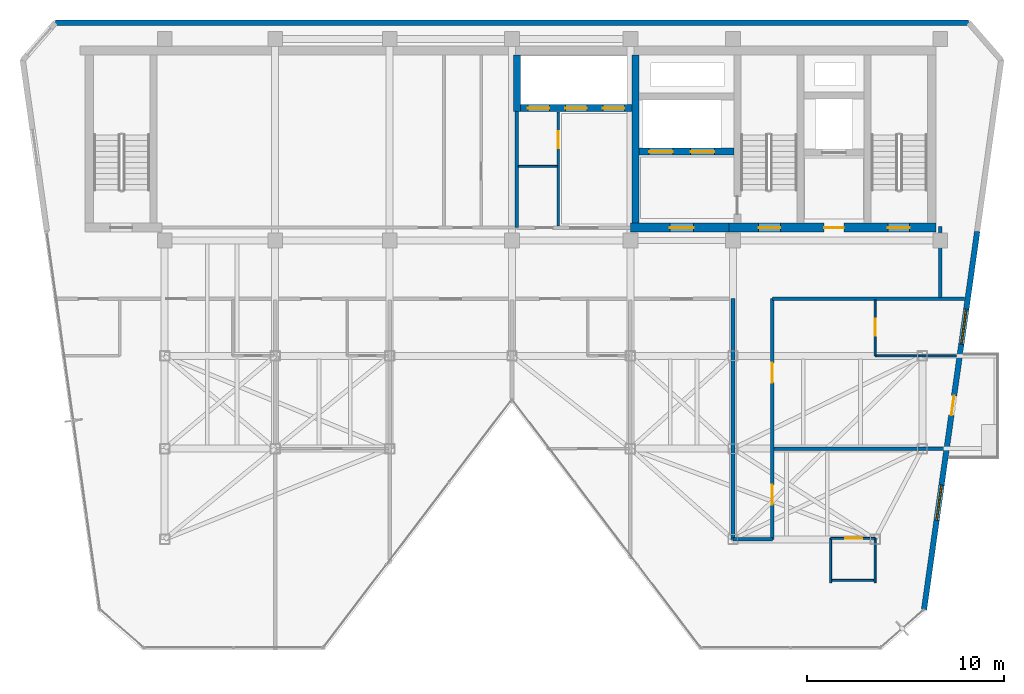
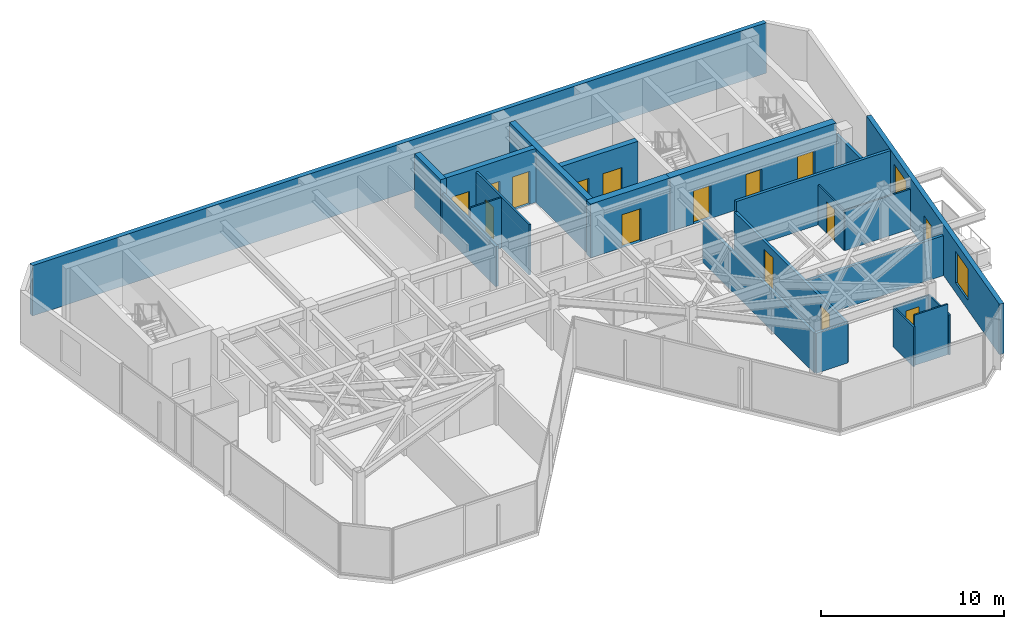
# One storey, part 17 of 20: 23 walls, 15 doors, 2 windows, 17 openings.
"""IFC4 building model written with IfcOpenShell, lengths in metres."""

from ifc_helpers import new_model, si_unit, direction, frame, frame_2d, origin, place, context, subcontext, project, spatial, rectangle, extrude, material, layer, layer_set, type_object, element, fill, save


model = new_model("IFC4")

# Units and contexts
model_context = context("Model", 3, precision=1e-05, world=origin(), true_north=direction((0.0, 1.0)))
body_context = subcontext(model_context, "Body", "Model", "MODEL_VIEW")
ifc_project = project(units=[si_unit("LENGTHUNIT", "METRE"), si_unit("AREAUNIT", "SQUARE_METRE"), si_unit("VOLUMEUNIT", "CUBIC_METRE"), si_unit("PLANEANGLEUNIT", "RADIAN"), si_unit("MASSUNIT", "GRAM", prefix="KILO")], contexts=[model_context])

# Site, building, storey
site_placement = place(None, origin())
site = spatial("IfcSite", under=ifc_project, at=site_placement, CompositionType="ELEMENT")
building_placement = place(site_placement, origin())
building = spatial("IfcBuilding", under=site, at=building_placement, Name="Kravanh Interchange Tower", CompositionType="ELEMENT")
storey_placement = place(building_placement, frame((0.0, 0.0, 238.199951171875)))
storey = spatial("IfcBuildingStorey", under=building, at=storey_placement, Name="L57", CompositionType="ELEMENT", Elevation=238.199951171875)

# Wall, opening, door
ifc_material_1 = material(Name="Double Acoustic Gypsum Board and Mineral Wool")
ifc_layer_1 = layer(ifc_material_1, 0.1201171875)
ifc_layer_set_1 = layer_set([ifc_layer_1], Name="Acoustic Office Drywall Partition 120mm")
wall_type_1 = type_object("IfcWallType", Name="Acoustic Office Drywall Partition 120mm", PredefinedType="PARTITIONING", material=ifc_layer_set_1)
wall_1_placement = place(storey_placement, frame((47.14990234375, 38.068115234375, 0.0), z_axis=(0.0, 0.0, 1.0), x_axis=(0.0, 1.0, 0.0)))
wall_1 = element("IfcWall", 1, at=wall_1_placement, inside=storey, type_object=wall_type_1, Name="L57 Interior Partition 2", PredefinedType="PARTITIONING", context=body_context, shape_type="SweptSolid", body=[
    extrude(rectangle(XDim=5.798828125, YDim=0.1201171875, at=frame_2d((2.8994140625, 0.0))), origin(), (0.0, 0.0, 1.0), 3.360107421875),
])
opening_1_placement = place(wall_1_placement, frame((3.95703125, 0.0, 0.0)))
opening_1 = element("IfcOpeningElement", 2, at=opening_1_placement, cuts=wall_1, Name="Opening D-85", PredefinedType="OPENING", context=body_context, shape_type="SweptSolid", body=[
    extrude(rectangle(XDim=0.85009765625, YDim=2.10009765625, at=frame_2d((0.425048828125, 1.050048828125))), frame((0.0, 0.070068359375, 0.0), z_axis=(0.0, -1.0, 0.0), x_axis=(1.0, 0.0, 0.0)), (0.0, 0.0, 1.0), 0.14013671875),
])
ifc_material_2 = material(Name="Engineered Teak Veneer Timber", Category="wood")
door_type_1 = type_object("IfcDoorType", Name="En-Suite Timber Door 850x2100", OperationType="NOTDEFINED", PredefinedType="DOOR", material=ifc_material_2)
door_1_placement = place(opening_1_placement, origin())
door_1 = element("IfcDoor", 3, at=door_1_placement, inside=storey, type_object=door_type_1, Name="L57 Core Valet Store Door", OperationType="SINGLE_SWING_RIGHT", OverallHeight=2.10009765625, OverallWidth=0.85009765625, PredefinedType="DOOR", context=body_context, shape_type="SweptSolid", body=[
    extrude(rectangle(XDim=0.85009765625, YDim=2.10009765625, at=frame_2d((0.425048828125, 1.050048828125))), frame((0.0, 0.02490234375, 0.0), z_axis=(0.0, -1.0, 0.0), x_axis=(1.0, 0.0, 0.0)), (0.0, 0.0, 1.0), 0.050048828125),
])
fill(opening_1, door_1)

# Wall, openings, doors
ifc_material_3 = material(Name="Concrete C60/75", Category="concrete")
ifc_layer_2 = layer(ifc_material_3, 0.35009765625)
ifc_layer_set_2 = layer_set([ifc_layer_2], Name="Core Shear Wall Concrete C60/75 350mm")
wall_type_2 = type_object("IfcWallType", Name="Core Shear Wall Concrete C60/75 350mm", PredefinedType="SHEAR", material=ifc_layer_set_2)
wall_2_placement = place(storey_placement, frame((51.22509765625, 41.85009765625, 0.0), z_axis=(0.0, 0.0, 1.0), x_axis=(1.0, 0.0, 0.0)))
wall_2 = element("IfcWall", 4, at=wall_2_placement, inside=storey, type_object=wall_type_2, Name="L57 Fire Lift Shaft South Wall", PredefinedType="SHEAR", context=body_context, shape_type="SweptSolid", body=[
    extrude(rectangle(XDim=4.824951171875, YDim=0.35009765625, at=frame_2d((2.41259765625, 0.0))), origin(), (0.0, 0.0, 1.0), 3.60009765625),
])
opening_2_placement = place(wall_2_placement, frame((0.52490234375, 0.0, 0.0)))
opening_2 = element("IfcOpeningElement", 5, at=opening_2_placement, cuts=wall_2, Name="Opening LD02", PredefinedType="OPENING", context=body_context, shape_type="SweptSolid", body=[
    extrude(rectangle(XDim=1.199951171875, YDim=2.199951171875, at=frame_2d((0.60009765625, 1.10009765625))), frame((0.0, 0.18505859375, 0.0), z_axis=(0.0, -1.0, 0.0), x_axis=(1.0, 0.0, 0.0)), (0.0, 0.0, 1.0), 0.3701171875),
])
opening_3_placement = place(wall_2_placement, frame((2.625, 0.0, 0.0)))
opening_3 = element("IfcOpeningElement", 6, at=opening_3_placement, cuts=wall_2, Name="Opening LD02", PredefinedType="OPENING", context=body_context, shape_type="SweptSolid", body=[
    extrude(rectangle(XDim=1.199951171875, YDim=2.199951171875, at=frame_2d((0.60009765625, 1.10009765625))), frame((0.0, 0.18505859375, 0.0), z_axis=(0.0, -1.0, 0.0), x_axis=(1.0, 0.0, 0.0)), (0.0, 0.0, 1.0), 0.3701171875),
])
ifc_material_4 = material(Name="Stainless Steel 316", Category="steel")
door_type_2 = type_object("IfcDoorType", Name="Fire and Service Lift Sliding Landing Door 1200x2200", OperationType="DOUBLE_DOOR_SLIDING", PredefinedType="DOOR", material=ifc_material_4)
door_2_placement = place(opening_2_placement, origin())
door_2 = element("IfcDoor", 7, at=door_2_placement, inside=storey, type_object=door_type_2, Name="L57 Lift FSAE-01 Landing Door", OperationType="DOUBLE_DOOR_SLIDING", OverallHeight=2.199951171875, OverallWidth=1.199951171875, PredefinedType="DOOR", context=body_context, shape_type="SweptSolid", body=[
    extrude(rectangle(XDim=1.199951171875, YDim=2.199951171875, at=frame_2d((0.60009765625, 1.10009765625))), frame((0.0, 0.02490234375, 0.0), z_axis=(0.0, -1.0, 0.0), x_axis=(1.0, 0.0, 0.0)), (0.0, 0.0, 1.0), 0.050048828125),
])
fill(opening_2, door_2)
door_3_placement = place(opening_3_placement, origin())
door_3 = element("IfcDoor", 8, at=door_3_placement, inside=storey, type_object=door_type_2, Name="L57 Lift FSAE-02 Landing Door", OperationType="DOUBLE_DOOR_SLIDING", OverallHeight=2.199951171875, OverallWidth=1.199951171875, PredefinedType="DOOR", context=body_context, shape_type="SweptSolid", body=[
    extrude(rectangle(XDim=1.199951171875, YDim=2.199951171875, at=frame_2d((0.60009765625, 1.10009765625))), frame((0.0, 0.02490234375, 0.0), z_axis=(0.0, -1.0, 0.0), x_axis=(1.0, 0.0, 0.0)), (0.0, 0.0, 1.0), 0.050048828125),
])
fill(opening_3, door_3)

# Wall
wall_3_placement = place(storey_placement, frame((51.050048828125, 38.22509765625, 0.0), z_axis=(0.0, 0.0, 1.0), x_axis=(0.0, 1.0, 0.0)))
element("IfcWall", 9, at=wall_3_placement, inside=storey, type_object=wall_type_2, Name="L57 Firefighting Lobby West Wall", PredefinedType="SHEAR", context=body_context, shape_type="SweptSolid", body=[
    extrude(rectangle(XDim=8.52490234375, YDim=0.35009765625, at=frame_2d((4.262451171875, 0.0))), origin(), (0.0, 0.0, 1.0), 3.60009765625),
])

# Wall, openings, doors
wall_4_placement = place(storey_placement, frame((45.22509765625, 44.050048828125, 0.0), z_axis=(0.0, 0.0, 1.0), x_axis=(1.0, 0.0, 0.0)))
wall_4 = element("IfcWall", 10, at=wall_4_placement, inside=storey, type_object=wall_type_2, Name="L57 High-Rise Lift Shaft South Wall", PredefinedType="SHEAR", context=body_context, shape_type="SweptSolid", body=[
    extrude(rectangle(XDim=5.64990234375, YDim=0.35009765625, at=frame_2d((2.824951171875, 0.0))), origin(), (0.0, 0.0, 1.0), 3.60009765625),
])
opening_4_placement = place(wall_4_placement, frame((0.375, 0.0, 0.0)))
opening_4 = element("IfcOpeningElement", 11, at=opening_4_placement, cuts=wall_4, Name="Opening LD01", PredefinedType="OPENING", context=body_context, shape_type="SweptSolid", body=[
    extrude(rectangle(XDim=1.10009765625, YDim=2.199951171875, at=frame_2d((0.550048828125, 1.10009765625))), frame((0.0, 0.18505859375, 0.0), z_axis=(0.0, -1.0, 0.0), x_axis=(1.0, 0.0, 0.0)), (0.0, 0.0, 1.0), 0.3701171875),
])
opening_5_placement = place(wall_4_placement, frame((2.27490234375, 0.0, 0.0)))
opening_5 = element("IfcOpeningElement", 12, at=opening_5_placement, cuts=wall_4, Name="Opening LD01", PredefinedType="OPENING", context=body_context, shape_type="SweptSolid", body=[
    extrude(rectangle(XDim=1.10009765625, YDim=2.199951171875, at=frame_2d((0.550048828125, 1.10009765625))), frame((0.0, 0.18505859375, 0.0), z_axis=(0.0, -1.0, 0.0), x_axis=(1.0, 0.0, 0.0)), (0.0, 0.0, 1.0), 0.3701171875),
])
opening_6_placement = place(wall_4_placement, frame((4.175048828125, 0.0, 0.0)))
opening_6 = element("IfcOpeningElement", 13, at=opening_6_placement, cuts=wall_4, Name="Opening LD01", PredefinedType="OPENING", context=body_context, shape_type="SweptSolid", body=[
    extrude(rectangle(XDim=1.10009765625, YDim=2.199951171875, at=frame_2d((0.550048828125, 1.10009765625))), frame((0.0, 0.18505859375, 0.0), z_axis=(0.0, -1.0, 0.0), x_axis=(1.0, 0.0, 0.0)), (0.0, 0.0, 1.0), 0.3701171875),
])
ifc_material_5 = material(Name="Stainless Steel 304", Category="steel")
door_type_3 = type_object("IfcDoorType", Name="Passenger Lift Sliding Landing Door 1100x2200", OperationType="DOUBLE_DOOR_SLIDING", PredefinedType="DOOR", material=ifc_material_5)
door_4_placement = place(opening_4_placement, origin())
door_4 = element("IfcDoor", 14, at=door_4_placement, inside=storey, type_object=door_type_3, Name="L57 Lift LP-H1 Landing Door", OperationType="DOUBLE_DOOR_SLIDING", OverallHeight=2.199951171875, OverallWidth=1.10009765625, PredefinedType="DOOR", context=body_context, shape_type="SweptSolid", body=[
    extrude(rectangle(XDim=1.10009765625, YDim=2.199951171875, at=frame_2d((0.550048828125, 1.10009765625))), frame((0.0, 0.02490234375, 0.0), z_axis=(0.0, -1.0, 0.0), x_axis=(1.0, 0.0, 0.0)), (0.0, 0.0, 1.0), 0.050048828125),
])
fill(opening_4, door_4)
door_5_placement = place(opening_5_placement, origin())
door_5 = element("IfcDoor", 15, at=door_5_placement, inside=storey, type_object=door_type_3, Name="L57 Lift LP-H2 Landing Door", OperationType="DOUBLE_DOOR_SLIDING", OverallHeight=2.199951171875, OverallWidth=1.10009765625, PredefinedType="DOOR", context=body_context, shape_type="SweptSolid", body=[
    extrude(rectangle(XDim=1.10009765625, YDim=2.199951171875, at=frame_2d((0.550048828125, 1.10009765625))), frame((0.0, 0.02490234375, 0.0), z_axis=(0.0, -1.0, 0.0), x_axis=(1.0, 0.0, 0.0)), (0.0, 0.0, 1.0), 0.050048828125),
])
fill(opening_5, door_5)
door_6_placement = place(opening_6_placement, origin())
door_6 = element("IfcDoor", 16, at=door_6_placement, inside=storey, type_object=door_type_3, Name="L57 Lift LP-H3 Landing Door", OperationType="DOUBLE_DOOR_SLIDING", OverallHeight=2.199951171875, OverallWidth=1.10009765625, PredefinedType="DOOR", context=body_context, shape_type="SweptSolid", body=[
    extrude(rectangle(XDim=1.10009765625, YDim=2.199951171875, at=frame_2d((0.550048828125, 1.10009765625))), frame((0.0, 0.02490234375, 0.0), z_axis=(0.0, -1.0, 0.0), x_axis=(1.0, 0.0, 0.0)), (0.0, 0.0, 1.0), 0.050048828125),
])
fill(opening_6, door_6)

# Wall
wall_5_placement = place(storey_placement, frame((45.050048828125, 43.875, 0.0), z_axis=(0.0, 0.0, 1.0), x_axis=(0.0, 1.0, 0.0)))
element("IfcWall", 17, at=wall_5_placement, inside=storey, type_object=wall_type_2, Name="L57 High-Rise Lift Shaft West Wall", PredefinedType="SHEAR", context=body_context, shape_type="SweptSolid", body=[
    extrude(rectangle(XDim=2.875, YDim=0.35009765625, at=frame_2d((1.4375, 0.0))), origin(), (0.0, 0.0, 1.0), 3.60009765625),
])

# Wall, openings, doors
ifc_material_6 = material(Name="Concrete C60/75", Category="concrete")
ifc_layer_3 = layer(ifc_material_6, 0.449951171875)
ifc_layer_set_3 = layer_set([ifc_layer_3], Name="Core Shear Wall Concrete C60/75 450mm")
wall_type_3 = type_object("IfcWallType", Name="Core Shear Wall Concrete C60/75 450mm", PredefinedType="SHEAR", material=ifc_layer_set_3)
wall_6_placement = place(storey_placement, frame((55.800048828125, 38.0, 0.0), z_axis=(0.0, 0.0, 1.0), x_axis=(1.0, 0.0, 0.0)))
wall_6 = element("IfcWall", 18, at=wall_6_placement, inside=storey, type_object=wall_type_3, Name="L57 East Core South Shear Wall", PredefinedType="SHEAR", context=body_context, shape_type="SweptSolid", body=[
    extrude(rectangle(XDim=10.5, YDim=0.449951171875, at=frame_2d((5.25, 0.0))), origin(), (0.0, 0.0, 1.0), 3.60009765625),
])
opening_7_placement = place(wall_6_placement, frame((1.5, 0.0, 0.0)))
opening_7 = element("IfcOpeningElement", 19, at=opening_7_placement, cuts=wall_6, Name="Opening D-STAIR-110", PredefinedType="OPENING", context=body_context, shape_type="SweptSolid", body=[
    extrude(rectangle(XDim=1.10009765625, YDim=2.199951171875, at=frame_2d((0.550048828125, 1.10009765625))), frame((0.0, 0.23486328125, 0.0), z_axis=(0.0, -1.0, 0.0), x_axis=(1.0, 0.0, 0.0)), (0.0, 0.0, 1.0), 0.469970703125),
])
opening_8_placement = place(wall_6_placement, frame((4.820068359375, 0.0, 0.0)))
opening_8 = element("IfcOpeningElement", 20, at=opening_8_placement, cuts=wall_6, Name="Opening D-HOTEL-100", PredefinedType="OPENING", context=body_context, shape_type="SweptSolid", body=[
    extrude(rectangle(XDim=1.0, YDim=2.14990234375, at=frame_2d((0.5, 1.074951171875))), frame((0.0, 0.23486328125, 0.0), z_axis=(0.0, -1.0, 0.0), x_axis=(1.0, 0.0, 0.0)), (0.0, 0.0, 1.0), 0.469970703125),
])
opening_9_placement = place(wall_6_placement, frame((8.050048828125, 0.0, 0.0)))
opening_9 = element("IfcOpeningElement", 21, at=opening_9_placement, cuts=wall_6, Name="Opening D-STAIR-110", PredefinedType="OPENING", context=body_context, shape_type="SweptSolid", body=[
    extrude(rectangle(XDim=1.10009765625, YDim=2.199951171875, at=frame_2d((0.550048828125, 1.10009765625))), frame((0.0, 0.23486328125, 0.0), z_axis=(0.0, -1.0, 0.0), x_axis=(1.0, 0.0, 0.0)), (0.0, 0.0, 1.0), 0.469970703125),
])
ifc_material_7 = material(Name="Structural Steel S355", Category="steel")
door_type_4 = type_object("IfcDoorType", Name="Fire-Rated Exit Stair Door 1100x2200", OperationType="NOTDEFINED", PredefinedType="DOOR", material=ifc_material_7)
door_7_placement = place(opening_7_placement, origin())
door_7 = element("IfcDoor", 22, at=door_7_placement, inside=storey, type_object=door_type_4, Name="L57 Exit Stair ST2 Door", OperationType="SINGLE_SWING_RIGHT", OverallHeight=2.199951171875, OverallWidth=1.10009765625, PredefinedType="DOOR", context=body_context, shape_type="SweptSolid", body=[
    extrude(rectangle(XDim=1.10009765625, YDim=2.199951171875, at=frame_2d((0.550048828125, 1.10009765625))), frame((0.0, 0.02490234375, 0.0), z_axis=(0.0, -1.0, 0.0), x_axis=(1.0, 0.0, 0.0)), (0.0, 0.0, 1.0), 0.050048828125),
])
fill(opening_7, door_7)
door_8_placement = place(opening_9_placement, origin())
door_8 = element("IfcDoor", 23, at=door_8_placement, inside=storey, type_object=door_type_4, Name="L57 Exit Stair ST1 Door", OperationType="SINGLE_SWING_RIGHT", OverallHeight=2.199951171875, OverallWidth=1.10009765625, PredefinedType="DOOR", context=body_context, shape_type="SweptSolid", body=[
    extrude(rectangle(XDim=1.10009765625, YDim=2.199951171875, at=frame_2d((0.550048828125, 1.10009765625))), frame((0.0, 0.02490234375, 0.0), z_axis=(0.0, -1.0, 0.0), x_axis=(1.0, 0.0, 0.0)), (0.0, 0.0, 1.0), 0.050048828125),
])
fill(opening_9, door_8)
ifc_material_8 = material(Name="Fire-Rated Solid Timber Leaf", Category="wood")
door_type_5 = type_object("IfcDoorType", Name="Fire-Rated Suite Entrance Door 1000x2150", OperationType="NOTDEFINED", PredefinedType="DOOR", material=ifc_material_8)
door_9_placement = place(opening_8_placement, origin())
door_9 = element("IfcDoor", 24, at=door_9_placement, inside=storey, type_object=door_type_5, Name="L57 Service Lift Lobby Door", OperationType="SINGLE_SWING_RIGHT", OverallHeight=2.14990234375, OverallWidth=1.0, PredefinedType="DOOR", context=body_context, shape_type="SweptSolid", body=[
    extrude(rectangle(XDim=1.0, YDim=2.14990234375, at=frame_2d((0.5, 1.074951171875))), frame((0.0, 0.02490234375, 0.0), z_axis=(0.0, -1.0, 0.0), x_axis=(1.0, 0.0, 0.0)), (0.0, 0.0, 1.0), 0.050048828125),
])
fill(opening_8, door_9)

# Wall, opening, door
wall_7_placement = place(storey_placement, frame((50.800048828125, 38.0, 0.0), z_axis=(0.0, 0.0, 1.0), x_axis=(1.0, 0.0, 0.0)))
wall_7 = element("IfcWall", 25, at=wall_7_placement, inside=storey, type_object=wall_type_3, Name="L57 Firefighting Lobby South Shear Wall", PredefinedType="SHEAR", context=body_context, shape_type="SweptSolid", body=[
    extrude(rectangle(XDim=5.0, YDim=0.449951171875, at=frame_2d((2.5, 0.0))), origin(), (0.0, 0.0, 1.0), 3.60009765625),
])
opening_10_placement = place(wall_7_placement, frame((2.0, 0.0, 0.0)))
opening_10 = element("IfcOpeningElement", 26, at=opening_10_placement, cuts=wall_7, Name="Opening D-FSAE-120", PredefinedType="OPENING", context=body_context, shape_type="SweptSolid", body=[
    extrude(rectangle(XDim=1.199951171875, YDim=2.199951171875, at=frame_2d((0.60009765625, 1.10009765625))), frame((0.0, 0.23486328125, 0.0), z_axis=(0.0, -1.0, 0.0), x_axis=(1.0, 0.0, 0.0)), (0.0, 0.0, 1.0), 0.469970703125),
])
ifc_material_9 = material(Name="Structural Steel S355", Category="steel")
door_type_6 = type_object("IfcDoorType", Name="Fire-Rated Refuge and FSAE Door 1200x2200", OperationType="NOTDEFINED", PredefinedType="DOOR", material=ifc_material_9)
door_10_placement = place(opening_10_placement, origin())
door_10 = element("IfcDoor", 27, at=door_10_placement, inside=storey, type_object=door_type_6, Name="L57 Firefighting Lobby Corridor Door", OperationType="SINGLE_SWING_RIGHT", OverallHeight=2.199951171875, OverallWidth=1.199951171875, PredefinedType="DOOR", context=body_context, shape_type="SweptSolid", body=[
    extrude(rectangle(XDim=1.199951171875, YDim=2.199951171875, at=frame_2d((0.60009765625, 1.10009765625))), frame((0.0, 0.02490234375, 0.0), z_axis=(0.0, -1.0, 0.0), x_axis=(1.0, 0.0, 0.0)), (0.0, 0.0, 1.0), 0.050048828125),
])
fill(opening_10, door_10)

# Wall
ifc_material_10 = material(Name="Moisture-Resistant Gypsum Board and Mineral Wool")
ifc_layer_4 = layer(ifc_material_10, 0.10009765625)
ifc_layer_set_4 = layer_set([ifc_layer_4], Name="En-Suite Moisture-Resistant Partition 100mm")
wall_type_4 = type_object("IfcWallType", Name="En-Suite Moisture-Resistant Partition 100mm", PredefinedType="PARTITIONING", material=ifc_layer_set_4)
wall_8_placement = place(storey_placement, frame((45.117919921875, 41.10009765625, 0.0), z_axis=(0.0, 0.0, 1.0), x_axis=(1.0, 0.0, 0.0)))
element("IfcWall", 28, at=wall_8_placement, inside=storey, type_object=wall_type_4, Name="L57 Interior Partition 3", PredefinedType="PARTITIONING", context=body_context, shape_type="SweptSolid", body=[
    extrude(rectangle(XDim=1.964111328125, YDim=0.10009765625, at=frame_2d((0.98193359375, 0.0))), origin(), (0.0, 0.0, 1.0), 3.360107421875),
])

# Wall, opening, door
wall_9_placement = place(storey_placement, frame((60.949951171875, 22.25, 0.0), z_axis=(0.0, 0.0, 1.0), x_axis=(1.0, 0.0, 0.0)))
wall_9 = element("IfcWall", 29, at=wall_9_placement, inside=storey, type_object=wall_type_4, Name="L57 Interior Partition 18", PredefinedType="PARTITIONING", context=body_context, shape_type="SweptSolid", body=[
    extrude(rectangle(XDim=2.25, YDim=0.10009765625, at=frame_2d((1.125, 0.0))), origin(), (0.0, 0.0, 1.0), 2.6640625),
])
opening_11_placement = place(wall_9_placement, frame((0.741455078125, 0.0, 0.0)))
opening_11 = element("IfcOpeningElement", 30, at=opening_11_placement, cuts=wall_9, Name="Opening D-85", PredefinedType="OPENING", context=body_context, shape_type="SweptSolid", body=[
    extrude(rectangle(XDim=0.85009765625, YDim=2.10009765625, at=frame_2d((0.425048828125, 1.050048828125))), frame((0.0, 0.06005859375, 0.0), z_axis=(0.0, -1.0, 0.0), x_axis=(1.0, 0.0, 0.0)), (0.0, 0.0, 1.0), 0.1201171875),
])
door_11_placement = place(opening_11_placement, origin())
door_11 = element("IfcDoor", 31, at=door_11_placement, inside=storey, type_object=door_type_1, Name="L57 En-suite Bathroom Door", OperationType="SINGLE_SWING_RIGHT", OverallHeight=2.10009765625, OverallWidth=0.85009765625, PredefinedType="DOOR", context=body_context, shape_type="SweptSolid", body=[
    extrude(rectangle(XDim=0.85009765625, YDim=2.10009765625, at=frame_2d((0.425048828125, 1.050048828125))), frame((0.0, 0.02490234375, 0.0), z_axis=(0.0, -1.0, 0.0), x_axis=(1.0, 0.0, 0.0)), (0.0, 0.0, 1.0), 0.050048828125),
])
fill(opening_11, door_11)

# Walls
for number, where, z_axis, x_axis, name in (
    (32, (60.949951171875, 20.0, 0.0), (0.0, 0.0, 1.0), (0.0, 1.0, 0.0), "L57 Interior Partition 19"),
    (33, (63.199951171875, 20.0, 0.0), (0.0, 0.0, 1.0), (0.0, 1.0, 0.0), "L57 Interior Partition 20"),
):
    element("IfcWall", number, at=place(storey_placement, frame(where, z_axis=z_axis, x_axis=x_axis)), inside=storey, type_object=wall_type_4, Name=name, PredefinedType="PARTITIONING", context=body_context, shape_type="SweptSolid", body=[
        extrude(rectangle(XDim=2.25, YDim=0.10009765625, at=frame_2d((1.125, 0.0))), origin(), (0.0, 0.0, 1.0), 2.6640625),
    ])
wall_10_placement = place(storey_placement, frame((61.01806640625, 20.1201171875, 0.0), z_axis=(0.0, 0.0, 1.0), x_axis=(1.0, 0.0, 0.0)))
element("IfcWall", 34, at=wall_10_placement, inside=storey, type_object=wall_type_4, Name="L57 Interior Partition 21", PredefinedType="PARTITIONING", context=body_context, shape_type="SweptSolid", body=[
    extrude(rectangle(XDim=2.114013671875, YDim=0.10009765625, at=frame_2d((1.05712890625, 0.0))), origin(), (0.0, 0.0, 1.0), 3.360107421875),
])
wall_11_placement = place(storey_placement, frame((63.199951171875, 31.5, 0.0), z_axis=(0.0, 0.0, 1.0), x_axis=(1.0, 0.0, 0.0)))
element("IfcWall", 35, at=wall_11_placement, inside=storey, type_object=wall_type_4, Name="L57 Interior Partition 22", PredefinedType="PARTITIONING", context=body_context, shape_type="SweptSolid", body=[
    extrude(rectangle(XDim=4.123046875, YDim=0.10009765625, at=frame_2d((2.0615234375, 0.0))), origin(), (0.0, 0.0, 1.0), 2.6640625),
])

# Wall, opening, door
wall_12_placement = place(storey_placement, frame((63.199951171875, 31.5, 0.0), z_axis=(0.0, 0.0, 1.0), x_axis=(0.0, 1.0, 0.0)))
wall_12 = element("IfcWall", 36, at=wall_12_placement, inside=storey, type_object=wall_type_4, Name="L57 Interior Partition 23", PredefinedType="PARTITIONING", context=body_context, shape_type="SweptSolid", body=[
    extrude(rectangle(XDim=2.83203125, YDim=0.10009765625, at=frame_2d((1.416015625, 0.0))), origin(), (0.0, 0.0, 1.0), 2.6640625),
])
opening_12_placement = place(wall_12_placement, frame((1.02490234375, 0.0, 0.0)))
opening_12 = element("IfcOpeningElement", 37, at=opening_12_placement, cuts=wall_12, Name="Opening D-85", PredefinedType="OPENING", context=body_context, shape_type="SweptSolid", body=[
    extrude(rectangle(XDim=0.85009765625, YDim=2.10009765625, at=frame_2d((0.425048828125, 1.050048828125))), frame((0.0, 0.06005859375, 0.0), z_axis=(0.0, -1.0, 0.0), x_axis=(1.0, 0.0, 0.0)), (0.0, 0.0, 1.0), 0.1201171875),
])
door_12_placement = place(opening_12_placement, origin())
door_12 = element("IfcDoor", 38, at=door_12_placement, inside=storey, type_object=door_type_1, Name="L57 En-suite Bathroom Door", OperationType="SINGLE_SWING_RIGHT", OverallHeight=2.10009765625, OverallWidth=0.85009765625, PredefinedType="DOOR", context=body_context, shape_type="SweptSolid", body=[
    extrude(rectangle(XDim=0.85009765625, YDim=2.10009765625, at=frame_2d((0.425048828125, 1.050048828125))), frame((0.0, 0.02490234375, 0.0), z_axis=(0.0, -1.0, 0.0), x_axis=(1.0, 0.0, 0.0)), (0.0, 0.0, 1.0), 0.050048828125),
])
fill(opening_12, door_12)

# Wall
ifc_material_11 = material(Name="Insulated Precast Concrete C40/50 with Bronze Cladding", Category="concrete")
ifc_layer_5 = layer(ifc_material_11, 0.280029296875)
ifc_layer_set_5 = layer_set([ifc_layer_5], Name="Exterior Insulated Concrete C40/50 Bronze Spandrel Wall 280mm")
wall_type_5 = type_object("IfcWallType", Name="Exterior Insulated Concrete C40/50 Bronze Spandrel Wall 280mm", PredefinedType="STANDARD", material=ifc_layer_set_5)
wall_13_placement = place(storey_placement, frame((21.65478515625, 48.3798828125, 0.0), z_axis=(0.0, 0.0, 1.0), x_axis=(1.0, 0.0, 0.0)))
element("IfcWall", 39, at=wall_13_placement, inside=storey, type_object=wall_type_5, Name="L57 Exterior Wall 3", PredefinedType="STANDARD", context=body_context, shape_type="SweptSolid", body=[
    extrude(rectangle(XDim=46.29052734375, YDim=0.280029296875, at=frame_2d((23.145263671875, 0.0))), origin(), (0.0, 0.0, 1.0), 3.360107421875),
])

# Wall, openings, door, windows
wall_14_placement = place(storey_placement, frame((68.375, 37.800048828125, 0.0), z_axis=(0.0, 0.0, 1.0), x_axis=(-0.139164922175, -0.99026921816, 0.0)))
wall_14 = element("IfcWall", 40, at=wall_14_placement, inside=storey, type_object=wall_type_5, Name="L57 Exterior Wall 6", PredefinedType="STANDARD", context=body_context, shape_type="SweptSolid", body=[
    extrude(rectangle(XDim=19.3466796875, YDim=0.280029296875, at=frame_2d((9.67333984375, 0.0))), origin(), (0.0, 0.0, 1.0), 3.360107421875),
])
opening_13_placement = place(wall_14_placement, frame((8.39990234375, 0.0, 0.0)))
opening_13 = element("IfcOpeningElement", 41, at=opening_13_placement, cuts=wall_14, Name="Opening ED-BAL100", PredefinedType="OPENING", context=body_context, shape_type="SweptSolid", body=[
    extrude(rectangle(XDim=1.0, YDim=2.14990234375, at=frame_2d((0.5, 1.074951171875))), frame((0.0, 0.14990234375, 0.0), z_axis=(0.0, -1.0, 0.0), x_axis=(1.0, 0.0, 0.0)), (0.0, 0.0, 1.0), 0.300048828125),
])
opening_14_placement = place(wall_14_placement, frame((3.971435546875, 0.0, 0.64990234375)))
opening_14 = element("IfcOpeningElement", 42, at=opening_14_placement, cuts=wall_14, Name="Opening WN-180X210", PredefinedType="OPENING", context=body_context, shape_type="SweptSolid", body=[
    extrude(rectangle(XDim=1.800048828125, YDim=2.10009765625, at=frame_2d((0.89990234375, 1.050048828125))), frame((0.0, 0.14990234375, 0.0), z_axis=(0.0, -1.0, 0.0), x_axis=(1.0, 0.0, 0.0)), (0.0, 0.0, 1.0), 0.300048828125),
])
opening_15_placement = place(wall_14_placement, frame((12.97509765625, 0.0, 0.64990234375)))
opening_15 = element("IfcOpeningElement", 43, at=opening_15_placement, cuts=wall_14, Name="Opening WN-180X210", PredefinedType="OPENING", context=body_context, shape_type="SweptSolid", body=[
    extrude(rectangle(XDim=1.800048828125, YDim=2.10009765625, at=frame_2d((0.89990234375, 1.050048828125))), frame((0.0, 0.14990234375, 0.0), z_axis=(0.0, -1.0, 0.0), x_axis=(1.0, 0.0, 0.0)), (0.0, 0.0, 1.0), 0.300048828125),
])
ifc_material_12 = material(Name="Thermally Broken Bronze Aluminium and Laminated Glass", Category="aluminium")
door_type_7 = type_object("IfcDoorType", Name="Balcony Glazed Door 1000x2150", OperationType="NOTDEFINED", PredefinedType="DOOR", material=ifc_material_12)
door_13_placement = place(opening_13_placement, origin())
door_13 = element("IfcDoor", 44, at=door_13_placement, inside=storey, type_object=door_type_7, Name="L57 E Tree Balcony Access Door", OperationType="SINGLE_SWING_RIGHT", OverallHeight=2.14990234375, OverallWidth=1.0, PredefinedType="DOOR", context=body_context, shape_type="SweptSolid", body=[
    extrude(rectangle(XDim=1.0, YDim=2.14990234375, at=frame_2d((0.5, 1.074951171875))), frame((0.0, 0.02490234375, 0.0), z_axis=(0.0, -1.0, 0.0), x_axis=(1.0, 0.0, 0.0)), (0.0, 0.0, 1.0), 0.050048828125),
])
fill(opening_13, door_13)
ifc_material_13 = material(Name="Thermally Broken Bronze Aluminium and Low-E Glass", Category="aluminium")
window_type = type_object("IfcWindowType", Name="Tower Pier Window 1800x2100", PartitioningType="SINGLE_PANEL", PredefinedType="WINDOW", material=ifc_material_13)
window_1_placement = place(opening_14_placement, origin())
window_1 = element("IfcWindow", 45, at=window_1_placement, inside=storey, type_object=window_type, Name="L57 Facade Window 6A", OverallHeight=2.10009765625, OverallWidth=1.800048828125, PartitioningType="SINGLE_PANEL", PredefinedType="WINDOW", context=body_context, shape_type="SweptSolid", body=[
    extrude(rectangle(XDim=1.800048828125, YDim=2.10009765625, at=frame_2d((0.89990234375, 1.050048828125))), frame((0.0, 0.030029296875, 0.0), z_axis=(0.0, -1.0, 0.0), x_axis=(1.0, 0.0, 0.0)), (0.0, 0.0, 1.0), 0.06005859375),
])
fill(opening_14, window_1)
window_2_placement = place(opening_15_placement, origin())
window_2 = element("IfcWindow", 46, at=window_2_placement, inside=storey, type_object=window_type, Name="L57 Facade Window 6B", OverallHeight=2.10009765625, OverallWidth=1.800048828125, PartitioningType="SINGLE_PANEL", PredefinedType="WINDOW", context=body_context, shape_type="SweptSolid", body=[
    extrude(rectangle(XDim=1.800048828125, YDim=2.10009765625, at=frame_2d((0.89990234375, 1.050048828125))), frame((0.0, 0.030029296875, 0.0), z_axis=(0.0, -1.0, 0.0), x_axis=(1.0, 0.0, 0.0)), (0.0, 0.0, 1.0), 0.06005859375),
])
fill(opening_15, window_2)

# Walls
ifc_material_14 = material(Name="Autoclaved Aerated Concrete C30/37 Blockwork", Category="masonry")
ifc_layer_6 = layer(ifc_material_14, 0.179931640625)
ifc_layer_set_6 = layer_set([ifc_layer_6], Name="Fire-Rated Lobby and Corridor Wall Concrete C30/37 180mm")
wall_type_6 = type_object("IfcWallType", Name="Fire-Rated Lobby and Corridor Wall Concrete C30/37 180mm", PredefinedType="STANDARD", material=ifc_layer_set_6)
wall_15_placement = place(storey_placement, frame((45.050048828125, 38.0, 0.0), z_axis=(0.0, 0.0, 1.0), x_axis=(0.0, 1.0, 0.0)))
element("IfcWall", 47, at=wall_15_placement, inside=storey, type_object=wall_type_6, Name="L57 Interior Partition 4", PredefinedType="STANDARD", context=body_context, shape_type="SweptSolid", body=[
    extrude(rectangle(XDim=5.875, YDim=0.179931640625, at=frame_2d((2.9375, 0.0))), origin(), (0.0, 0.0, 1.0), 2.6640625),
])
wall_16_placement = place(storey_placement, frame((58.0, 34.39990234375, 0.0), z_axis=(0.0, 0.0, 1.0), x_axis=(1.0, 0.0, 0.0)))
element("IfcWall", 48, at=wall_16_placement, inside=storey, type_object=wall_type_6, Name="L57 Interior Partition 10", PredefinedType="STANDARD", context=body_context, shape_type="SweptSolid", body=[
    extrude(rectangle(XDim=9.730712890625, YDim=0.179931640625, at=frame_2d((4.865234375, 0.0))), origin(), (0.0, 0.0, 1.0), 3.360107421875),
])
wall_17_placement = place(storey_placement, frame((66.5, 34.468017578125, 0.0), z_axis=(0.0, 0.0, 1.0), x_axis=(0.0, 1.0, 0.0)))
element("IfcWall", 49, at=wall_17_placement, inside=storey, type_object=wall_type_6, Name="L57 Interior Partition 11", PredefinedType="STANDARD", context=body_context, shape_type="SweptSolid", body=[
    extrude(rectangle(XDim=3.58203125, YDim=0.179931640625, at=frame_2d((1.791015625, 0.0))), origin(), (0.0, 0.0, 1.0), 2.6640625),
])
wall_18_placement = place(storey_placement, frame((56.0, 22.199951171875, 0.0), z_axis=(0.0, 0.0, 1.0), x_axis=(0.0, 1.0, 0.0)))
element("IfcWall", 50, at=wall_18_placement, inside=storey, type_object=wall_type_6, Name="L57 Interior Partition 12", PredefinedType="STANDARD", context=body_context, shape_type="SweptSolid", body=[
    extrude(rectangle(XDim=12.199951171875, YDim=0.179931640625, at=frame_2d((6.10009765625, 0.0))), origin(), (0.0, 0.0, 1.0), 2.6640625),
])

# Wall, openings, doors
wall_19_placement = place(storey_placement, frame((58.0, 22.199951171875, 0.0), z_axis=(0.0, 0.0, 1.0), x_axis=(0.0, 1.0, 0.0)))
wall_19 = element("IfcWall", 51, at=wall_19_placement, inside=storey, type_object=wall_type_6, Name="L57 Interior Partition 13", PredefinedType="STANDARD", context=body_context, shape_type="SweptSolid", body=[
    extrude(rectangle(XDim=12.199951171875, YDim=0.179931640625, at=frame_2d((6.10009765625, 0.0))), origin(), (0.0, 0.0, 1.0), 2.6640625),
])
opening_16_placement = place(wall_19_placement, frame((1.759521484375, 0.0, 0.0)))
opening_16 = element("IfcOpeningElement", 52, at=opening_16_placement, cuts=wall_19, Name="Opening D-HOTEL-100", PredefinedType="OPENING", context=body_context, shape_type="SweptSolid", body=[
    extrude(rectangle(XDim=1.0, YDim=2.14990234375, at=frame_2d((0.5, 1.074951171875))), frame((0.0, 0.10009765625, 0.0), z_axis=(0.0, -1.0, 0.0), x_axis=(1.0, 0.0, 0.0)), (0.0, 0.0, 1.0), 0.199951171875),
])
opening_17_placement = place(wall_19_placement, frame((7.93994140625, 0.0, 0.0)))
opening_17 = element("IfcOpeningElement", 53, at=opening_17_placement, cuts=wall_19, Name="Opening D-HOTEL-100", PredefinedType="OPENING", context=body_context, shape_type="SweptSolid", body=[
    extrude(rectangle(XDim=1.0, YDim=2.14990234375, at=frame_2d((0.5, 1.074951171875))), frame((0.0, 0.10009765625, 0.0), z_axis=(0.0, -1.0, 0.0), x_axis=(1.0, 0.0, 0.0)), (0.0, 0.0, 1.0), 0.199951171875),
])
door_14_placement = place(opening_16_placement, origin())
door_14 = element("IfcDoor", 54, at=door_14_placement, inside=storey, type_object=door_type_5, Name="L57 Corner Panorama Hotel Suite Entrance Door", OperationType="SINGLE_SWING_LEFT", OverallHeight=2.14990234375, OverallWidth=1.0, PredefinedType="DOOR", context=body_context, shape_type="SweptSolid", body=[
    extrude(rectangle(XDim=1.0, YDim=2.14990234375, at=frame_2d((0.5, 1.074951171875))), frame((0.0, 0.02490234375, 0.0), z_axis=(0.0, -1.0, 0.0), x_axis=(1.0, 0.0, 0.0)), (0.0, 0.0, 1.0), 0.050048828125),
])
fill(opening_16, door_14)
door_15_placement = place(opening_17_placement, origin())
door_15 = element("IfcDoor", 55, at=door_15_placement, inside=storey, type_object=door_type_5, Name="L57 Hotel Guest Room East Entrance Door", OperationType="SINGLE_SWING_LEFT", OverallHeight=2.14990234375, OverallWidth=1.0, PredefinedType="DOOR", context=body_context, shape_type="SweptSolid", body=[
    extrude(rectangle(XDim=1.0, YDim=2.14990234375, at=frame_2d((0.5, 1.074951171875))), frame((0.0, 0.02490234375, 0.0), z_axis=(0.0, -1.0, 0.0), x_axis=(1.0, 0.0, 0.0)), (0.0, 0.0, 1.0), 0.050048828125),
])
fill(opening_17, door_15)

# Walls
wall_20_placement = place(storey_placement, frame((56.0, 22.199951171875, 0.0), z_axis=(0.0, 0.0, 1.0), x_axis=(1.0, 0.0, 0.0)))
element("IfcWall", 56, at=wall_20_placement, inside=storey, type_object=wall_type_6, Name="L57 Interior Partition 14", PredefinedType="STANDARD", context=body_context, shape_type="SweptSolid", body=[
    extrude(rectangle(XDim=2.0, YDim=0.179931640625, at=frame_2d((1.0, 0.0))), origin(), (0.0, 0.0, 1.0), 2.6640625),
])
wall_21_placement = place(storey_placement, frame((58.068115234375, 26.800048828125, 0.0), z_axis=(0.0, 0.0, 1.0), x_axis=(1.0, 0.0, 0.0)))
element("IfcWall", 57, at=wall_21_placement, inside=storey, type_object=wall_type_6, Name="L57 Interior Partition 17", PredefinedType="STANDARD", context=body_context, shape_type="SweptSolid", body=[
    extrude(rectangle(XDim=8.594482421875, YDim=0.179931640625, at=frame_2d((4.29736328125, 0.0))), origin(), (0.0, 0.0, 1.0), 2.6640625),
])

save(model, "model.ifc")
